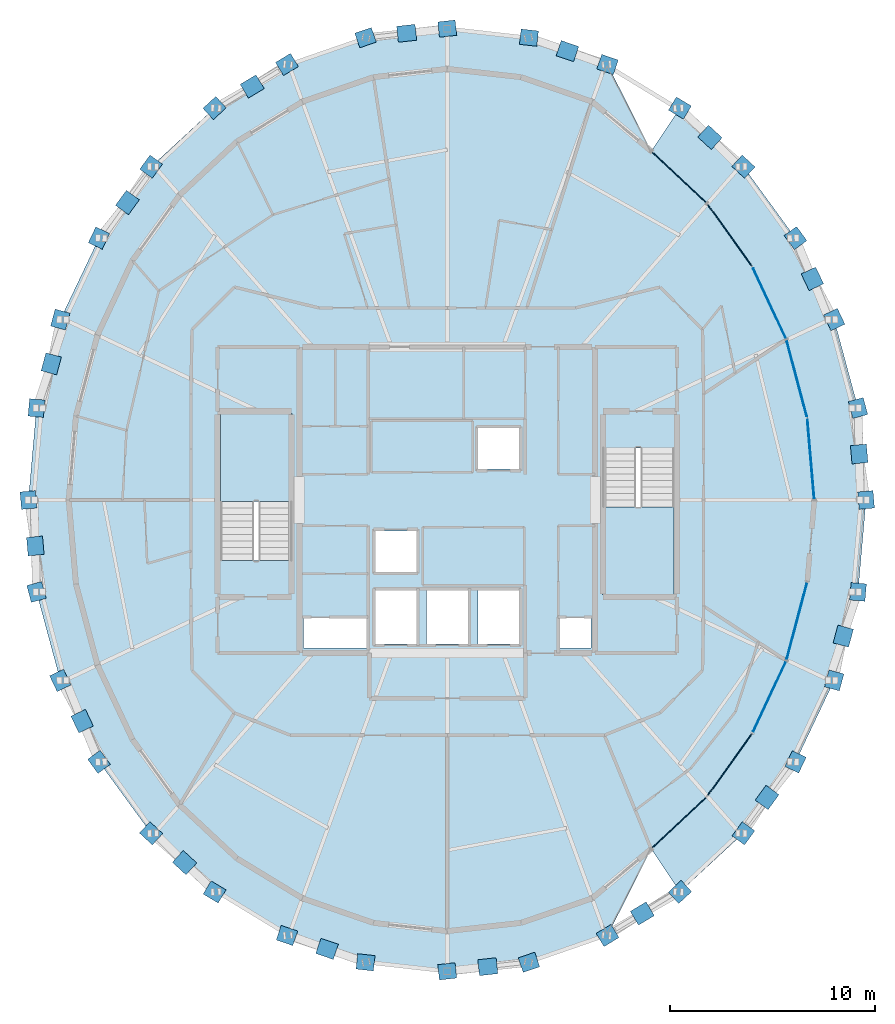
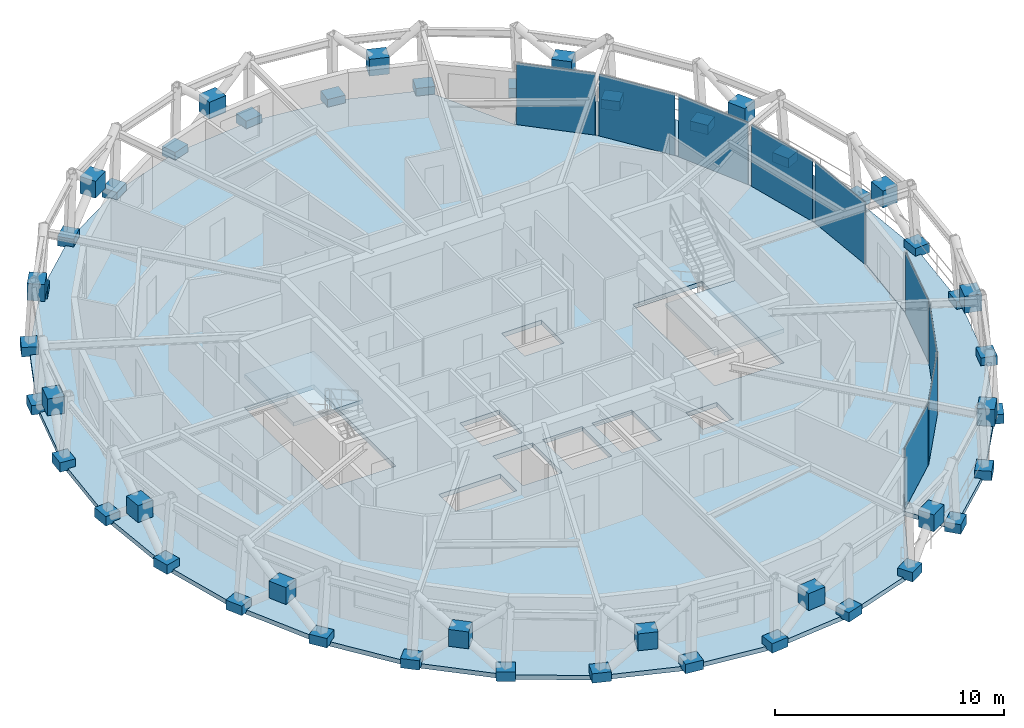
# One storey, part 10 of 16: 57 plates, 4 slabs, 4 elements without a shape of their own.
"""IFC4 building model written with IfcOpenShell, lengths in metres."""

from ifc_helpers import new_model, si_unit, direction, frame, origin, origin_2d, place, context, subcontext, project, spatial, polyline, rectangle, outline, extrude, material, layer, layer_set, type_object, element, aggregate, save


model = new_model("IFC4")

# Units and contexts
model_context = context("Model", 3, precision=1e-05, world=origin(), true_north=direction((0.0, 1.0)))
body_context = subcontext(model_context, "Body", "Model", "MODEL_VIEW")
ifc_project = project(units=[si_unit("LENGTHUNIT", "METRE"), si_unit("AREAUNIT", "SQUARE_METRE"), si_unit("VOLUMEUNIT", "CUBIC_METRE"), si_unit("PLANEANGLEUNIT", "RADIAN"), si_unit("MASSUNIT", "GRAM", prefix="KILO")], contexts=[model_context])

# Site, building, storey
site_placement = place(None, origin())
site = spatial("IfcSite", under=ifc_project, at=site_placement, CompositionType="ELEMENT")
building_placement = place(site_placement, origin())
building = spatial("IfcBuilding", under=site, at=building_placement, Name="Veldorina Hangang Commons", CompositionType="ELEMENT")
storey_placement = place(building_placement, frame((0.0, 0.0, 283.199951171875)))
storey = spatial("IfcBuildingStorey", under=building, at=storey_placement, Name="L74", CompositionType="ELEMENT", Elevation=283.199951171875)

# Curtain wall, plates
ifc_material_1 = material(Name="Glass Low-E Selective", Category="glass")
ifc_layer_1 = layer(ifc_material_1, 0.179931640625)
ifc_layer_set_1 = layer_set([ifc_layer_1], Name="Glass Low-E Selective")
curtain_wall_type = type_object("IfcCurtainWallType", Name="CW-SYS-Z3", PredefinedType="NOTDEFINED", material=ifc_layer_set_1)
curtain_wall_1_placement = place(storey_placement, origin())
curtain_wall_1 = element("IfcCurtainWall", 1, at=curtain_wall_1_placement, inside=storey, type_object=curtain_wall_type, Name="L74 unitised curtain wall CW-L74-R1", PredefinedType="NOTDEFINED")
ifc_material_2 = material(Name="Glass Low-E Triple IGU", Category="glass")
ifc_layer_2 = layer(ifc_material_2, 0.0400390625)
ifc_layer_set_2 = layer_set([ifc_layer_2], Name="Glass Low-E Triple IGU")
plate_type_1 = type_object("IfcPlateType", Name="CW-PNL-VIS", PredefinedType="CURTAIN_PANEL", material=ifc_layer_set_2)
plate_1_placement = place(storey_placement, frame((49.697998046875, 25.99267578125, 0.01513671875), z_axis=(0.0, 0.0, 1.0), x_axis=(-0.08585165264, 0.996307931183, 0.0)))
plate_1 = element("IfcPlate", 2, at=plate_1_placement, type_object=plate_type_1, Name="CW-L74-R1 facet 1 glazed vision panel", PredefinedType="CURTAIN_PANEL", context=body_context, shape_type="SweptSolid", body=[
    extrude(rectangle(XDim=3.8203125, YDim=0.0400390625, at=origin_2d()), origin(), (0.0, 0.0, 1.0), 3.2900390625),
])
plate_2_placement = place(storey_placement, frame((49.017822265625, 29.901611328125, 0.01513671875), z_axis=(0.0, 0.0, 1.0), x_axis=(-0.256458072772, 0.966555356361, 0.0)))
plate_2 = element("IfcPlate", 3, at=plate_2_placement, type_object=plate_type_1, Name="CW-L74-R1 facet 2 glazed vision panel", PredefinedType="CURTAIN_PANEL", context=body_context, shape_type="SweptSolid", body=[
    extrude(rectangle(XDim=3.784912109375, YDim=0.0400390625, at=origin_2d()), origin(), (0.0, 0.0, 1.0), 3.2900390625),
])
plate_3_placement = place(storey_placement, frame((47.683837890625, 33.58349609375, 0.01513671875), z_axis=(0.0, 0.0, 1.0), x_axis=(-0.42355130275, 0.905872117873, 0.0)))
plate_3 = element("IfcPlate", 4, at=plate_3_placement, type_object=plate_type_1, Name="CW-L74-R1 facet 3 glazed vision panel", PredefinedType="CURTAIN_PANEL", context=body_context, shape_type="SweptSolid", body=[
    extrude(rectangle(XDim=3.718994140625, YDim=0.0400390625, at=origin_2d()), origin(), (0.0, 0.0, 1.0), 3.2900390625),
])
plate_4_placement = place(storey_placement, frame((45.746826171875, 36.897216796875, 0.01513671875), z_axis=(0.0, 0.0, 1.0), x_axis=(-0.583172639472, 0.812348245872, 0.0)))
plate_4 = element("IfcPlate", 5, at=plate_4_placement, type_object=plate_type_1, Name="CW-L74-R1 facet 4 glazed vision panel", PredefinedType="CURTAIN_PANEL", context=body_context, shape_type="SweptSolid", body=[
    extrude(rectangle(XDim=3.630615234375, YDim=0.0400390625, at=origin_2d()), origin(), (0.0, 0.0, 1.0), 3.2900390625),
])
plate_5_placement = place(storey_placement, frame((43.281982421875, 39.71533203125, 0.01513671875), z_axis=(0.0, 0.0, 1.0), x_axis=(-0.729279189979, 0.684216239989, 0.0)))
plate_5 = element("IfcPlate", 6, at=plate_5_placement, type_object=plate_type_1, Name="CW-L74-R1 facet 5 glazed vision panel", PredefinedType="CURTAIN_PANEL", context=body_context, shape_type="SweptSolid", body=[
    extrude(rectangle(XDim=3.533203125, YDim=0.0400390625, at=origin_2d()), origin(), (0.0, 0.0, 1.0), 3.2900390625),
])
aggregate(curtain_wall_1, [plate_1, plate_2, plate_3, plate_4, plate_5])

curtain_wall_2_placement = place(storey_placement, origin())
curtain_wall_2 = element("IfcCurtainWall", 7, at=curtain_wall_2_placement, inside=storey, type_object=curtain_wall_type, Name="L74 unitised curtain wall CW-L74-R2", PredefinedType="NOTDEFINED")
plate_6_placement = place(storey_placement, frame((43.281982421875, 8.28466796875, 0.01513671875), z_axis=(0.0, 0.0, 1.0), x_axis=(0.729279189979, 0.684216239989, 0.0)))
plate_6 = element("IfcPlate", 8, at=plate_6_placement, type_object=plate_type_1, Name="CW-L74-R2 facet 1 glazed vision panel", PredefinedType="CURTAIN_PANEL", context=body_context, shape_type="SweptSolid", body=[
    extrude(rectangle(XDim=3.533203125, YDim=0.0400390625, at=origin_2d()), origin(), (0.0, 0.0, 1.0), 3.2900390625),
])
plate_7_placement = place(storey_placement, frame((45.746826171875, 11.102783203125, 0.01513671875), z_axis=(0.0, 0.0, 1.0), x_axis=(0.583172639472, 0.812348245872, 0.0)))
plate_7 = element("IfcPlate", 9, at=plate_7_placement, type_object=plate_type_1, Name="CW-L74-R2 facet 2 glazed vision panel", PredefinedType="CURTAIN_PANEL", context=body_context, shape_type="SweptSolid", body=[
    extrude(rectangle(XDim=3.630615234375, YDim=0.0400390625, at=origin_2d()), origin(), (0.0, 0.0, 1.0), 3.2900390625),
])
plate_8_placement = place(storey_placement, frame((47.683837890625, 14.41650390625, 0.01513671875), z_axis=(0.0, 0.0, 1.0), x_axis=(0.42355130275, 0.905872117873, 0.0)))
plate_8 = element("IfcPlate", 10, at=plate_8_placement, type_object=plate_type_1, Name="CW-L74-R2 facet 3 glazed vision panel", PredefinedType="CURTAIN_PANEL", context=body_context, shape_type="SweptSolid", body=[
    extrude(rectangle(XDim=3.718994140625, YDim=0.0400390625, at=origin_2d()), origin(), (0.0, 0.0, 1.0), 3.2900390625),
])
plate_9_placement = place(storey_placement, frame((49.017822265625, 18.098388671875, 0.01513671875), z_axis=(0.0, 0.0, 1.0), x_axis=(0.256458072772, 0.966555356361, 0.0)))
plate_9 = element("IfcPlate", 11, at=plate_9_placement, type_object=plate_type_1, Name="CW-L74-R2 facet 4 glazed vision panel", PredefinedType="CURTAIN_PANEL", context=body_context, shape_type="SweptSolid", body=[
    extrude(rectangle(XDim=3.784912109375, YDim=0.0400390625, at=origin_2d()), origin(), (0.0, 0.0, 1.0), 3.2900390625),
])
aggregate(curtain_wall_2, [plate_6, plate_7, plate_8, plate_9])

# Plates
ifc_material_3 = material(Name="Steel SM460-TMC", Category="steel")
ifc_layer_3 = layer(ifc_material_3, 0.035888671875)
ifc_layer_set_3 = layer_set([ifc_layer_3], Name="Steel SM460-TMC")
plate_type_2 = type_object("IfcPlateType", Name="PL-STAR-36", PredefinedType="USERDEFINED", material=ifc_layer_set_3)
plate_10_placement = place(storey_placement, frame((52.3896484375, 24.0, -0.08984375), z_axis=(0.0, 0.0, 1.0), x_axis=(-0.087173129612, 0.996193176785, 0.0)))
element("IfcPlate", 12, at=plate_10_placement, inside=storey, type_object=plate_type_2, Name="L74 diagrid star-node gusset plate 00", ObjectType="GUSSET PLATE", PredefinedType="USERDEFINED", context=body_context, shape_type="SweptSolid", body=[
    extrude(rectangle(XDim=0.85009765625, YDim=0.75, at=origin_2d()), origin(), (0.0, 0.0, 1.0), 0.5),
])
plate_11_placement = place(storey_placement, frame((52.054443359375, 26.238037109375, 1.3505859375), z_axis=(0.0, 0.0, 1.0), x_axis=(-0.087173129612, 0.996193176785, 0.0)))
element("IfcPlate", 13, at=plate_11_placement, inside=storey, type_object=plate_type_2, Name="L74 diagrid X-crossing star-node gusset plate 00", ObjectType="GUSSET PLATE", PredefinedType="USERDEFINED", context=body_context, shape_type="SweptSolid", body=[
    extrude(rectangle(XDim=0.89990234375, YDim=0.780029296875, at=origin_2d()), origin(), (0.0, 0.0, 1.0), 0.89990234375),
])
for number, where, z_axis, x_axis, name in (
    (14, (51.997802734375, 28.47705078125, -0.08984375), (0.0, 0.0, 1.0), (-0.260234887669, 0.965545339816, 0.0), "L74 diagrid star-node gusset plate 01"),
    (15, (50.837646484375, 32.781982421875, -0.08984375), (0.0, 0.0, 1.0), (-0.42898243134, 0.903312832634, 0.0), "L74 diagrid star-node gusset plate 02"),
):
    element("IfcPlate", number, at=place(storey_placement, frame(where, z_axis=z_axis, x_axis=x_axis)), inside=storey, type_object=plate_type_2, Name=name, ObjectType="GUSSET PLATE", PredefinedType="USERDEFINED", context=body_context, shape_type="SweptSolid", body=[
        extrude(rectangle(XDim=0.85009765625, YDim=0.75, at=origin_2d()), origin(), (0.0, 0.0, 1.0), 0.5),
    ])
plate_12_placement = place(storey_placement, frame((49.77587890625, 34.765380859375, 1.352783203125), z_axis=(0.0, 0.0, 1.0), x_axis=(-0.42898243134, 0.903312832634, 0.0)))
element("IfcPlate", 16, at=plate_12_placement, inside=storey, type_object=plate_type_2, Name="L74 diagrid X-crossing star-node gusset plate 02", ObjectType="GUSSET PLATE", PredefinedType="USERDEFINED", context=body_context, shape_type="SweptSolid", body=[
    extrude(rectangle(XDim=0.89990234375, YDim=0.780029296875, at=origin_2d()), origin(), (0.0, 0.0, 1.0), 0.89990234375),
])
for number, where, z_axis, x_axis, name in (
    (17, (48.953369140625, 36.74951171875, -0.08984375), (0.0, 0.0, 1.0), (-0.58918225518, 0.808000167191, 0.0), "L74 diagrid star-node gusset plate 03"),
    (18, (46.417724609375, 40.22705078125, -0.08984375), (0.0, 0.0, 1.0), (-0.734583096072, 0.678518735898, 0.0), "L74 diagrid star-node gusset plate 04"),
):
    element("IfcPlate", number, at=place(storey_placement, frame(where, z_axis=z_axis, x_axis=x_axis)), inside=storey, type_object=plate_type_2, Name=name, ObjectType="GUSSET PLATE", PredefinedType="USERDEFINED", context=body_context, shape_type="SweptSolid", body=[
        extrude(rectangle(XDim=0.85009765625, YDim=0.75, at=origin_2d()), origin(), (0.0, 0.0, 1.0), 0.5),
    ])
plate_13_placement = place(storey_placement, frame((44.78759765625, 41.654541015625, 1.357177734375), z_axis=(0.0, 0.0, 1.0), x_axis=(-0.734583096072, 0.678518735898, 0.0)))
element("IfcPlate", 19, at=plate_13_placement, inside=storey, type_object=plate_type_2, Name="L74 diagrid X-crossing star-node gusset plate 04", ObjectType="GUSSET PLATE", PredefinedType="USERDEFINED", context=body_context, shape_type="SweptSolid", body=[
    extrude(rectangle(XDim=0.89990234375, YDim=0.780029296875, at=origin_2d()), origin(), (0.0, 0.0, 1.0), 0.89990234375),
])
for number, where, z_axis, x_axis, name in (
    (20, (43.327880859375, 43.0810546875, -0.08984375), (0.0, 0.0, 1.0), (-0.85689750991, 0.515486816038, 0.0), "L74 diagrid star-node gusset plate 05"),
    (21, (39.802734375, 45.20166015625, -0.08984375), (0.0, 0.0, 1.0), (-0.946356391218, 0.323124714005, 0.0), "L74 diagrid star-node gusset plate 06"),
):
    element("IfcPlate", number, at=place(storey_placement, frame(where, z_axis=z_axis, x_axis=x_axis)), inside=storey, type_object=plate_type_2, Name=name, ObjectType="GUSSET PLATE", PredefinedType="USERDEFINED", context=body_context, shape_type="SweptSolid", body=[
        extrude(rectangle(XDim=0.85009765625, YDim=0.75, at=origin_2d()), origin(), (0.0, 0.0, 1.0), 0.5),
    ])
plate_14_placement = place(storey_placement, frame((37.850341796875, 45.852783203125, 1.361572265625), z_axis=(0.0, 0.0, 1.0), x_axis=(-0.946356391218, 0.323124714005, 0.0)))
element("IfcPlate", 22, at=plate_14_placement, inside=storey, type_object=plate_type_2, Name="L74 diagrid X-crossing star-node gusset plate 06", ObjectType="GUSSET PLATE", PredefinedType="USERDEFINED", context=body_context, shape_type="SweptSolid", body=[
    extrude(rectangle(XDim=0.89990234375, YDim=0.780029296875, at=origin_2d()), origin(), (0.0, 0.0, 1.0), 0.89990234375),
])
for number, where, z_axis, x_axis, name in (
    (23, (35.977783203125, 46.507568359375, -0.08984375), (0.0, 0.0, 1.0), (-0.993912980213, 0.110167997914, 0.0), "L74 diagrid star-node gusset plate 07"),
    (24, (32.0, 46.948486328125, -0.08984375), (0.0, 0.0, 1.0), (-0.993912980213, -0.110167997914, 0.0), "L74 diagrid star-node gusset plate 08"),
):
    element("IfcPlate", number, at=place(storey_placement, frame(where, z_axis=z_axis, x_axis=x_axis)), inside=storey, type_object=plate_type_2, Name=name, ObjectType="GUSSET PLATE", PredefinedType="USERDEFINED", context=body_context, shape_type="SweptSolid", body=[
        extrude(rectangle(XDim=0.85009765625, YDim=0.75, at=origin_2d()), origin(), (0.0, 0.0, 1.0), 0.5),
    ])
plate_15_placement = place(storey_placement, frame((30.025146484375, 46.720458984375, 1.362548828125), z_axis=(0.0, 0.0, 1.0), x_axis=(-0.993912980213, -0.110167997914, 0.0)))
element("IfcPlate", 25, at=plate_15_placement, inside=storey, type_object=plate_type_2, Name="L74 diagrid X-crossing star-node gusset plate 08", ObjectType="GUSSET PLATE", PredefinedType="USERDEFINED", context=body_context, shape_type="SweptSolid", body=[
    extrude(rectangle(XDim=0.89990234375, YDim=0.780029296875, at=origin_2d()), origin(), (0.0, 0.0, 1.0), 0.89990234375),
])
for number, where, z_axis, x_axis, name in (
    (26, (28.022216796875, 46.507568359375, -0.08984375), (0.0, 0.0, 1.0), (-0.946356391218, -0.323124714005, 0.0), "L74 diagrid star-node gusset plate 09"),
    (27, (24.197265625, 45.20166015625, -0.08984375), (0.0, 0.0, 1.0), (-0.85689750991, -0.515486816038, 0.0), "L74 diagrid star-node gusset plate 10"),
):
    element("IfcPlate", number, at=place(storey_placement, frame(where, z_axis=z_axis, x_axis=x_axis)), inside=storey, type_object=plate_type_2, Name=name, ObjectType="GUSSET PLATE", PredefinedType="USERDEFINED", context=body_context, shape_type="SweptSolid", body=[
        extrude(rectangle(XDim=0.85009765625, YDim=0.75, at=origin_2d()), origin(), (0.0, 0.0, 1.0), 0.5),
    ])
plate_16_placement = place(storey_placement, frame((22.5048828125, 44.130615234375, 1.359375), z_axis=(0.0, 0.0, 1.0), x_axis=(-0.85689750991, -0.515486816038, 0.0)))
element("IfcPlate", 28, at=plate_16_placement, inside=storey, type_object=plate_type_2, Name="L74 diagrid X-crossing star-node gusset plate 10", ObjectType="GUSSET PLATE", PredefinedType="USERDEFINED", context=body_context, shape_type="SweptSolid", body=[
    extrude(rectangle(XDim=0.89990234375, YDim=0.780029296875, at=origin_2d()), origin(), (0.0, 0.0, 1.0), 0.89990234375),
])
for number, where, z_axis, x_axis, name in (
    (29, (20.672119140625, 43.0810546875, -0.08984375), (0.0, 0.0, 1.0), (-0.734583096072, -0.678518735898, 0.0), "L74 diagrid star-node gusset plate 11"),
    (30, (17.582275390625, 40.22705078125, -0.08984375), (0.0, 0.0, 1.0), (-0.58918225518, -0.808000167191, 0.0), "L74 diagrid star-node gusset plate 12"),
):
    element("IfcPlate", number, at=place(storey_placement, frame(where, z_axis=z_axis, x_axis=x_axis)), inside=storey, type_object=plate_type_2, Name=name, ObjectType="GUSSET PLATE", PredefinedType="USERDEFINED", context=body_context, shape_type="SweptSolid", body=[
        extrude(rectangle(XDim=0.85009765625, YDim=0.75, at=origin_2d()), origin(), (0.0, 0.0, 1.0), 0.5),
    ])
plate_17_placement = place(storey_placement, frame((16.429443359375, 38.48046875, 1.354736328125), z_axis=(0.0, 0.0, 1.0), x_axis=(-0.58918225518, -0.808000167191, 0.0)))
element("IfcPlate", 31, at=plate_17_placement, inside=storey, type_object=plate_type_2, Name="L74 diagrid X-crossing star-node gusset plate 12", ObjectType="GUSSET PLATE", PredefinedType="USERDEFINED", context=body_context, shape_type="SweptSolid", body=[
    extrude(rectangle(XDim=0.89990234375, YDim=0.780029296875, at=origin_2d()), origin(), (0.0, 0.0, 1.0), 0.89990234375),
])
for number, where, z_axis, x_axis, name in (
    (32, (15.046630859375, 36.74951171875, -0.08984375), (0.0, 0.0, 1.0), (-0.42898243134, -0.903312832634, 0.0), "L74 diagrid star-node gusset plate 13"),
    (33, (13.162353515625, 32.781982421875, -0.08984375), (0.0, 0.0, 1.0), (-0.260234887669, -0.965545339816, 0.0), "L74 diagrid star-node gusset plate 14"),
):
    element("IfcPlate", number, at=place(storey_placement, frame(where, z_axis=z_axis, x_axis=x_axis)), inside=storey, type_object=plate_type_2, Name=name, ObjectType="GUSSET PLATE", PredefinedType="USERDEFINED", context=body_context, shape_type="SweptSolid", body=[
        extrude(rectangle(XDim=0.85009765625, YDim=0.75, at=origin_2d()), origin(), (0.0, 0.0, 1.0), 0.5),
    ])
plate_18_placement = place(storey_placement, frame((12.72119140625, 30.626708984375, 1.351318359375), z_axis=(0.0, 0.0, 1.0), x_axis=(-0.260234887669, -0.965545339816, 0.0)))
element("IfcPlate", 34, at=plate_18_placement, inside=storey, type_object=plate_type_2, Name="L74 diagrid X-crossing star-node gusset plate 14", ObjectType="GUSSET PLATE", PredefinedType="USERDEFINED", context=body_context, shape_type="SweptSolid", body=[
    extrude(rectangle(XDim=0.89990234375, YDim=0.780029296875, at=origin_2d()), origin(), (0.0, 0.0, 1.0), 0.89990234375),
])
for number, where, z_axis, x_axis, name in (
    (35, (12.002197265625, 28.47705078125, -0.08984375), (0.0, 0.0, 1.0), (-0.087173129612, -0.996193176785, 0.0), "L74 diagrid star-node gusset plate 15"),
    (36, (11.6103515625, 24.0, -0.08984375), (0.0, 0.0, 1.0), (0.087173129612, -0.996193176785, 0.0), "L74 diagrid star-node gusset plate 16"),
):
    element("IfcPlate", number, at=place(storey_placement, frame(where, z_axis=z_axis, x_axis=x_axis)), inside=storey, type_object=plate_type_2, Name=name, ObjectType="GUSSET PLATE", PredefinedType="USERDEFINED", context=body_context, shape_type="SweptSolid", body=[
        extrude(rectangle(XDim=0.85009765625, YDim=0.75, at=origin_2d()), origin(), (0.0, 0.0, 1.0), 0.5),
    ])
plate_19_placement = place(storey_placement, frame((11.945556640625, 21.761962890625, 1.3505859375), z_axis=(0.0, 0.0, 1.0), x_axis=(0.087173129612, -0.996193176785, 0.0)))
element("IfcPlate", 37, at=plate_19_placement, inside=storey, type_object=plate_type_2, Name="L74 diagrid X-crossing star-node gusset plate 16", ObjectType="GUSSET PLATE", PredefinedType="USERDEFINED", context=body_context, shape_type="SweptSolid", body=[
    extrude(rectangle(XDim=0.89990234375, YDim=0.780029296875, at=origin_2d()), origin(), (0.0, 0.0, 1.0), 0.89990234375),
])
for number, where, z_axis, x_axis, name in (
    (38, (12.002197265625, 19.52294921875, -0.08984375), (0.0, 0.0, 1.0), (0.260234887669, -0.965545339816, 0.0), "L74 diagrid star-node gusset plate 17"),
    (39, (13.162353515625, 15.218017578125, -0.08984375), (0.0, 0.0, 1.0), (0.42898243134, -0.903312832634, 0.0), "L74 diagrid star-node gusset plate 18"),
):
    element("IfcPlate", number, at=place(storey_placement, frame(where, z_axis=z_axis, x_axis=x_axis)), inside=storey, type_object=plate_type_2, Name=name, ObjectType="GUSSET PLATE", PredefinedType="USERDEFINED", context=body_context, shape_type="SweptSolid", body=[
        extrude(rectangle(XDim=0.85009765625, YDim=0.75, at=origin_2d()), origin(), (0.0, 0.0, 1.0), 0.5),
    ])
plate_20_placement = place(storey_placement, frame((14.22412109375, 13.234619140625, 1.352783203125), z_axis=(0.0, 0.0, 1.0), x_axis=(0.42898243134, -0.903312832634, 0.0)))
element("IfcPlate", 40, at=plate_20_placement, inside=storey, type_object=plate_type_2, Name="L74 diagrid X-crossing star-node gusset plate 18", ObjectType="GUSSET PLATE", PredefinedType="USERDEFINED", context=body_context, shape_type="SweptSolid", body=[
    extrude(rectangle(XDim=0.89990234375, YDim=0.780029296875, at=origin_2d()), origin(), (0.0, 0.0, 1.0), 0.89990234375),
])
for number, where, z_axis, x_axis, name in (
    (41, (15.046630859375, 11.25048828125, -0.08984375), (0.0, 0.0, 1.0), (0.58918225518, -0.808000167191, 0.0), "L74 diagrid star-node gusset plate 19"),
    (42, (17.582275390625, 7.77294921875, -0.08984375), (0.0, 0.0, 1.0), (0.734583096072, -0.678518735898, 0.0), "L74 diagrid star-node gusset plate 20"),
):
    element("IfcPlate", number, at=place(storey_placement, frame(where, z_axis=z_axis, x_axis=x_axis)), inside=storey, type_object=plate_type_2, Name=name, ObjectType="GUSSET PLATE", PredefinedType="USERDEFINED", context=body_context, shape_type="SweptSolid", body=[
        extrude(rectangle(XDim=0.85009765625, YDim=0.75, at=origin_2d()), origin(), (0.0, 0.0, 1.0), 0.5),
    ])
plate_21_placement = place(storey_placement, frame((19.21240234375, 6.345458984375, 1.357177734375), z_axis=(0.0, 0.0, 1.0), x_axis=(0.734583096072, -0.678518735898, 0.0)))
element("IfcPlate", 43, at=plate_21_placement, inside=storey, type_object=plate_type_2, Name="L74 diagrid X-crossing star-node gusset plate 20", ObjectType="GUSSET PLATE", PredefinedType="USERDEFINED", context=body_context, shape_type="SweptSolid", body=[
    extrude(rectangle(XDim=0.89990234375, YDim=0.780029296875, at=origin_2d()), origin(), (0.0, 0.0, 1.0), 0.89990234375),
])
for number, where, z_axis, x_axis, name in (
    (44, (20.672119140625, 4.9189453125, -0.08984375), (0.0, 0.0, 1.0), (0.85689750991, -0.515486816038, 0.0), "L74 diagrid star-node gusset plate 21"),
    (45, (24.197265625, 2.79833984375, -0.08984375), (0.0, 0.0, 1.0), (0.946356391218, -0.323124714005, 0.0), "L74 diagrid star-node gusset plate 22"),
):
    element("IfcPlate", number, at=place(storey_placement, frame(where, z_axis=z_axis, x_axis=x_axis)), inside=storey, type_object=plate_type_2, Name=name, ObjectType="GUSSET PLATE", PredefinedType="USERDEFINED", context=body_context, shape_type="SweptSolid", body=[
        extrude(rectangle(XDim=0.85009765625, YDim=0.75, at=origin_2d()), origin(), (0.0, 0.0, 1.0), 0.5),
    ])
plate_22_placement = place(storey_placement, frame((26.149658203125, 2.147216796875, 1.361572265625), z_axis=(0.0, 0.0, 1.0), x_axis=(0.946356391218, -0.323124714005, 0.0)))
element("IfcPlate", 46, at=plate_22_placement, inside=storey, type_object=plate_type_2, Name="L74 diagrid X-crossing star-node gusset plate 22", ObjectType="GUSSET PLATE", PredefinedType="USERDEFINED", context=body_context, shape_type="SweptSolid", body=[
    extrude(rectangle(XDim=0.89990234375, YDim=0.780029296875, at=origin_2d()), origin(), (0.0, 0.0, 1.0), 0.89990234375),
])
for number, where, z_axis, x_axis, name in (
    (47, (28.022216796875, 1.492431640625, -0.08984375), (0.0, 0.0, 1.0), (0.993912980213, -0.110167997914, 0.0), "L74 diagrid star-node gusset plate 23"),
    (48, (32.0, 1.051513671875, -0.08984375), (0.0, 0.0, 1.0), (0.993912980213, 0.110167997914, 0.0), "L74 diagrid star-node gusset plate 24"),
):
    element("IfcPlate", number, at=place(storey_placement, frame(where, z_axis=z_axis, x_axis=x_axis)), inside=storey, type_object=plate_type_2, Name=name, ObjectType="GUSSET PLATE", PredefinedType="USERDEFINED", context=body_context, shape_type="SweptSolid", body=[
        extrude(rectangle(XDim=0.85009765625, YDim=0.75, at=origin_2d()), origin(), (0.0, 0.0, 1.0), 0.5),
    ])
plate_23_placement = place(storey_placement, frame((33.974853515625, 1.279541015625, 1.362548828125), z_axis=(0.0, 0.0, 1.0), x_axis=(0.993912980213, 0.110167997914, 0.0)))
element("IfcPlate", 49, at=plate_23_placement, inside=storey, type_object=plate_type_2, Name="L74 diagrid X-crossing star-node gusset plate 24", ObjectType="GUSSET PLATE", PredefinedType="USERDEFINED", context=body_context, shape_type="SweptSolid", body=[
    extrude(rectangle(XDim=0.89990234375, YDim=0.780029296875, at=origin_2d()), origin(), (0.0, 0.0, 1.0), 0.89990234375),
])
for number, where, z_axis, x_axis, name in (
    (50, (35.977783203125, 1.492431640625, -0.08984375), (0.0, 0.0, 1.0), (0.946356391218, 0.323124714005, 0.0), "L74 diagrid star-node gusset plate 25"),
    (51, (39.802734375, 2.79833984375, -0.08984375), (0.0, 0.0, 1.0), (0.85689750991, 0.515486816038, 0.0), "L74 diagrid star-node gusset plate 26"),
):
    element("IfcPlate", number, at=place(storey_placement, frame(where, z_axis=z_axis, x_axis=x_axis)), inside=storey, type_object=plate_type_2, Name=name, ObjectType="GUSSET PLATE", PredefinedType="USERDEFINED", context=body_context, shape_type="SweptSolid", body=[
        extrude(rectangle(XDim=0.85009765625, YDim=0.75, at=origin_2d()), origin(), (0.0, 0.0, 1.0), 0.5),
    ])
plate_24_placement = place(storey_placement, frame((41.4951171875, 3.869384765625, 1.359375), z_axis=(0.0, 0.0, 1.0), x_axis=(0.85689750991, 0.515486816038, 0.0)))
element("IfcPlate", 52, at=plate_24_placement, inside=storey, type_object=plate_type_2, Name="L74 diagrid X-crossing star-node gusset plate 26", ObjectType="GUSSET PLATE", PredefinedType="USERDEFINED", context=body_context, shape_type="SweptSolid", body=[
    extrude(rectangle(XDim=0.89990234375, YDim=0.780029296875, at=origin_2d()), origin(), (0.0, 0.0, 1.0), 0.89990234375),
])
for number, where, z_axis, x_axis, name in (
    (53, (43.327880859375, 4.9189453125, -0.08984375), (0.0, 0.0, 1.0), (0.734583096072, 0.678518735898, 0.0), "L74 diagrid star-node gusset plate 27"),
    (54, (46.417724609375, 7.77294921875, -0.08984375), (0.0, 0.0, 1.0), (0.58918225518, 0.808000167191, 0.0), "L74 diagrid star-node gusset plate 28"),
):
    element("IfcPlate", number, at=place(storey_placement, frame(where, z_axis=z_axis, x_axis=x_axis)), inside=storey, type_object=plate_type_2, Name=name, ObjectType="GUSSET PLATE", PredefinedType="USERDEFINED", context=body_context, shape_type="SweptSolid", body=[
        extrude(rectangle(XDim=0.85009765625, YDim=0.75, at=origin_2d()), origin(), (0.0, 0.0, 1.0), 0.5),
    ])
plate_25_placement = place(storey_placement, frame((47.570556640625, 9.51953125, 1.354736328125), z_axis=(0.0, 0.0, 1.0), x_axis=(0.58918225518, 0.808000167191, 0.0)))
element("IfcPlate", 55, at=plate_25_placement, inside=storey, type_object=plate_type_2, Name="L74 diagrid X-crossing star-node gusset plate 28", ObjectType="GUSSET PLATE", PredefinedType="USERDEFINED", context=body_context, shape_type="SweptSolid", body=[
    extrude(rectangle(XDim=0.89990234375, YDim=0.780029296875, at=origin_2d()), origin(), (0.0, 0.0, 1.0), 0.89990234375),
])
for number, where, z_axis, x_axis, name in (
    (56, (48.953369140625, 11.25048828125, -0.08984375), (0.0, 0.0, 1.0), (0.42898243134, 0.903312832634, 0.0), "L74 diagrid star-node gusset plate 29"),
    (57, (50.837646484375, 15.218017578125, -0.08984375), (0.0, 0.0, 1.0), (0.260234887669, 0.965545339816, 0.0), "L74 diagrid star-node gusset plate 30"),
):
    element("IfcPlate", number, at=place(storey_placement, frame(where, z_axis=z_axis, x_axis=x_axis)), inside=storey, type_object=plate_type_2, Name=name, ObjectType="GUSSET PLATE", PredefinedType="USERDEFINED", context=body_context, shape_type="SweptSolid", body=[
        extrude(rectangle(XDim=0.85009765625, YDim=0.75, at=origin_2d()), origin(), (0.0, 0.0, 1.0), 0.5),
    ])
plate_26_placement = place(storey_placement, frame((51.27880859375, 17.373291015625, 1.351318359375), z_axis=(0.0, 0.0, 1.0), x_axis=(0.260234887669, 0.965545339816, 0.0)))
element("IfcPlate", 58, at=plate_26_placement, inside=storey, type_object=plate_type_2, Name="L74 diagrid X-crossing star-node gusset plate 30", ObjectType="GUSSET PLATE", PredefinedType="USERDEFINED", context=body_context, shape_type="SweptSolid", body=[
    extrude(rectangle(XDim=0.89990234375, YDim=0.780029296875, at=origin_2d()), origin(), (0.0, 0.0, 1.0), 0.89990234375),
])
plate_27_placement = place(storey_placement, frame((51.997802734375, 19.52294921875, -0.08984375), z_axis=(0.0, 0.0, 1.0), x_axis=(0.087173129612, 0.996193176785, 0.0)))
element("IfcPlate", 59, at=plate_27_placement, inside=storey, type_object=plate_type_2, Name="L74 diagrid star-node gusset plate 31", ObjectType="GUSSET PLATE", PredefinedType="USERDEFINED", context=body_context, shape_type="SweptSolid", body=[
    extrude(rectangle(XDim=0.85009765625, YDim=0.75, at=origin_2d()), origin(), (0.0, 0.0, 1.0), 0.5),
])

# Slabs
ifc_material_4 = material(Name="Concrete C40/50", Category="concrete")
ifc_layer_4 = layer(ifc_material_4, 0.239990234375)
ifc_layer_set_4 = layer_set([ifc_layer_4], Name="Concrete C40/50")
slab_type_1 = type_object("IfcSlabType", Name="SL-FLR-240", PredefinedType="FLOOR", material=ifc_layer_set_4)
slab_1_placement = place(storey_placement, frame((0.0, 0.0, -0.239990234375)))
element("IfcSlab", 60, at=slab_1_placement, inside=storey, type_object=slab_type_1, Name="L74 tower structural floor slab", PredefinedType="FLOOR", context=body_context, shape_type="SweptSolid", body=[
    extrude(outline(polyline([(49.86962890625, 24.0), (49.5263671875, 27.9853515625), (48.509521484375, 31.817626953125), (46.858154296875, 35.349609375), (44.6357421875, 38.445068359375), (41.927978515625, 40.985595703125), (39.802734375, 45.20166015625), (35.977783203125, 46.507568359375), (32.0, 46.948486328125), (28.022216796875, 46.507568359375), (24.197265625, 45.20166015625), (20.672119140625, 43.0810546875), (17.582275390625, 40.22705078125), (15.046630859375, 36.74951171875), (13.162353515625, 32.781982421875), (12.002197265625, 28.47705078125), (11.6103515625, 24.0), (12.002197265625, 19.52294921875), (13.162353515625, 15.218017578125), (15.046630859375, 11.25048828125), (17.582275390625, 7.77294921875), (20.672119140625, 4.9189453125), (24.197265625, 2.79833984375), (28.022216796875, 1.492431640625), (32.0, 1.051513671875), (35.977783203125, 1.492431640625), (39.802734375, 2.79833984375), (41.927978515625, 7.014404296875), (44.6357421875, 9.554931640625), (46.858154296875, 12.650390625), (48.509521484375, 16.182373046875), (49.5263671875, 20.0146484375), (49.86962890625, 24.0)]), holes=[polyline([(20.949951171875, 21.05810546875), (20.949951171875, 28.199951171875), (24.449951171875, 28.199951171875), (24.449951171875, 21.05810546875), (20.949951171875, 21.05810546875)]), polyline([(43.050048828125, 26.5419921875), (43.050048828125, 19.39990234375), (39.550048828125, 19.39990234375), (39.550048828125, 26.5419921875), (43.050048828125, 26.5419921875)]), polyline([(33.5, 27.5), (35.5, 27.5), (35.5, 25.5), (33.5, 25.5), (33.5, 27.5)]), polyline([(28.5, 22.5), (30.5, 22.5), (30.5, 20.5), (28.5, 20.5), (28.5, 22.5)]), polyline([(28.5, 19.60009765625), (30.5, 19.60009765625), (30.5, 17.0), (28.5, 17.0), (28.5, 19.60009765625)]), polyline([(31.0, 19.60009765625), (33.0, 19.60009765625), (33.0, 17.0), (31.0, 17.0), (31.0, 19.60009765625)]), polyline([(33.5, 19.60009765625), (35.5, 19.60009765625), (35.5, 17.0), (33.5, 17.0), (33.5, 19.60009765625)]), polyline([(25.0, 18.25), (28.10009765625, 18.25), (28.10009765625, 16.800048828125), (25.0, 16.800048828125), (25.0, 18.25)]), polyline([(37.449951171875, 18.25), (39.0, 18.25), (39.0, 16.800048828125), (37.449951171875, 16.800048828125), (37.449951171875, 18.25)])]), origin(), (0.0, 0.0, 1.0), 0.239990234375),
])
slab_2_placement = place(storey_placement, frame((0.0, 0.0, -0.239990234375)))
element("IfcSlab", 61, at=slab_2_placement, inside=storey, type_object=slab_type_1, Name="L74 sky-garden loggia outdoor slab", PredefinedType="FLOOR", context=body_context, shape_type="SweptSolid", body=[
    extrude(outline(polyline([(43.327880859375, 43.0810546875), (46.417724609375, 40.22705078125), (48.953369140625, 36.74951171875), (50.837646484375, 32.781982421875), (51.997802734375, 28.47705078125), (52.3896484375, 24.0), (51.997802734375, 19.52294921875), (50.837646484375, 15.218017578125), (48.953369140625, 11.25048828125), (46.417724609375, 7.77294921875), (43.327880859375, 4.9189453125), (41.9375, 7.0), (41.940185546875, 7.005126953125), (44.64599609375, 9.5439453125), (44.647216796875, 9.544921875), (44.64794921875, 9.546142578125), (46.870361328125, 12.641845703125), (46.87109375, 12.642822265625), (46.87158203125, 12.64404296875), (48.523193359375, 16.176025390625), (48.523681640625, 16.17724609375), (48.52392578125, 16.1787109375), (49.540771484375, 20.0107421875), (49.541015625, 20.011962890625), (49.541259765625, 20.01318359375), (49.884521484375, 23.998779296875), (49.884765625, 24.0), (49.884521484375, 24.001220703125), (49.541259765625, 27.98681640625), (49.541015625, 27.988037109375), (49.540771484375, 27.9892578125), (48.52392578125, 31.8212890625), (48.523681640625, 31.82275390625), (48.523193359375, 31.823974609375), (46.87158203125, 35.35595703125), (46.87109375, 35.357177734375), (46.870361328125, 35.358154296875), (44.64794921875, 38.453857421875), (44.647216796875, 38.455078125), (44.64599609375, 38.4560546875), (41.940185546875, 40.994873046875), (41.9375, 41.0), (43.327880859375, 43.0810546875)])), origin(), (0.0, 0.0, 1.0), 0.239990234375),
])

# Stair, slab
stair_type = type_object("IfcStairType", Name="STR-DOG-1650-20R", PredefinedType="HALF_TURN_STAIR", material=ifc_material_4)
stair_1_placement = place(storey_placement, origin())
stair_1 = element("IfcStair", 62, at=stair_1_placement, inside=storey, type_object=stair_type, Name="L74 Exit stair ST-1", PredefinedType="HALF_TURN_STAIR")
ifc_layer_5 = layer(ifc_material_4, 0.199951171875)
ifc_layer_set_5 = layer_set([ifc_layer_5], Name="Concrete C40/50")
slab_type_2 = type_object("IfcSlabType", Name="SL-LND-200", PredefinedType="LANDING", material=ifc_layer_set_5)
slab_3_placement = place(storey_placement, frame((0.0, 0.0, 1.60009765625)))
slab_3 = element("IfcSlab", 63, at=slab_3_placement, type_object=slab_type_2, Name="ST-1 landing 1", PredefinedType="LANDING", context=body_context, shape_type="SweptSolid", body=[
    extrude(outline(polyline([(24.449951171875, 23.929931640625), (24.449951171875, 28.199951171875), (20.949951171875, 28.199951171875), (20.949951171875, 23.929931640625), (24.449951171875, 23.929931640625)])), origin(), (0.0, 0.0, 1.0), 0.199951171875),
])
aggregate(stair_1, [slab_3])

stair_2_placement = place(storey_placement, origin())
stair_2 = element("IfcStair", 64, at=stair_2_placement, inside=storey, type_object=stair_type, Name="L74 Exit stair ST-2", PredefinedType="HALF_TURN_STAIR")
slab_4_placement = place(storey_placement, frame((0.0, 0.0, 1.60009765625)))
slab_4 = element("IfcSlab", 65, at=slab_4_placement, type_object=slab_type_2, Name="ST-2 landing 1", PredefinedType="LANDING", context=body_context, shape_type="SweptSolid", body=[
    extrude(outline(polyline([(39.550048828125, 23.669921875), (39.550048828125, 19.39990234375), (43.050048828125, 19.39990234375), (43.050048828125, 23.669921875), (39.550048828125, 23.669921875)])), origin(), (0.0, 0.0, 1.0), 0.199951171875),
])
aggregate(stair_2, [slab_4])

save(model, "model.ifc")
